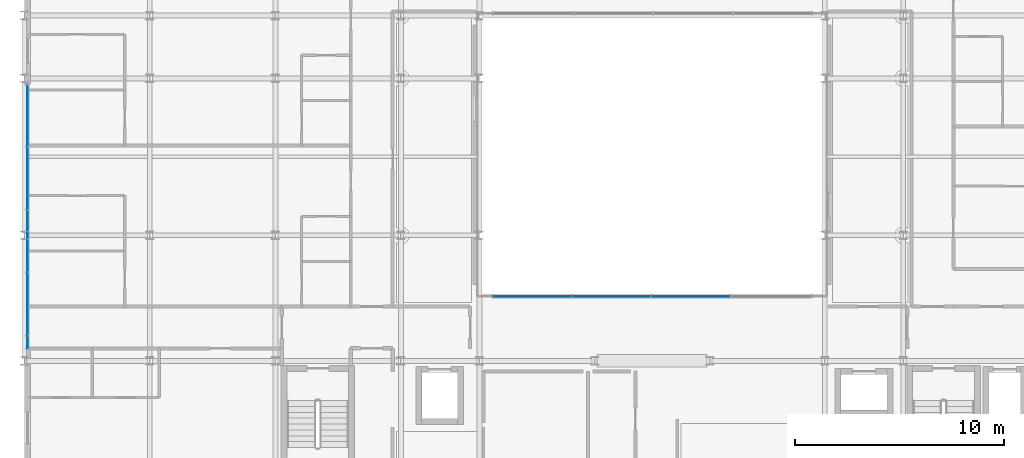
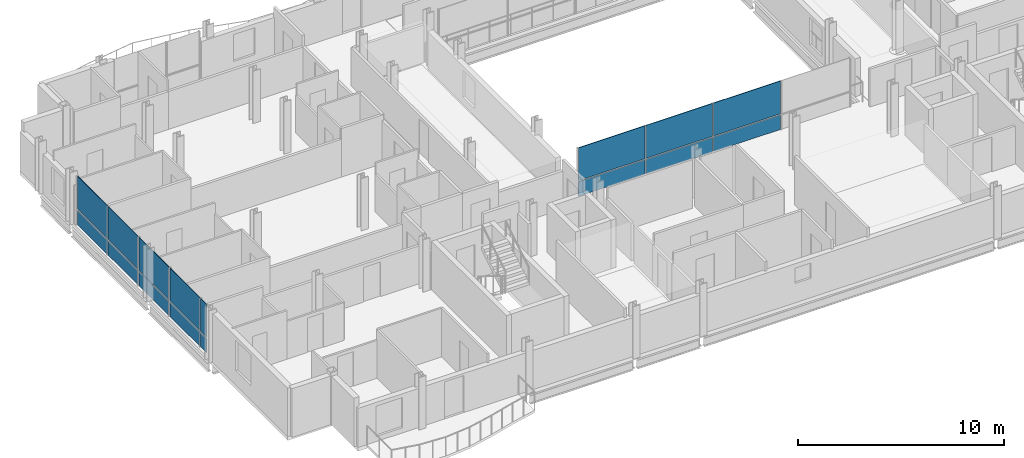
# One storey, part 28 of 41: 16 plates, 2 elements without a shape of their own.
"""IFC4 building model written with IfcOpenShell, lengths in metres."""

from ifc_helpers import new_model, si_unit, direction, frame, origin, origin_2d, place, context, subcontext, project, spatial, rectangle, extrude, material, layer, layer_set, type_object, element, aggregate, save


model = new_model("IFC4")

# Units and contexts
model_context = context("Model", 3, precision=1e-05, world=origin(), true_north=direction((0.0, 1.0)))
body_context = subcontext(model_context, "Body", "Model", "MODEL_VIEW")
ifc_project = project(units=[si_unit("LENGTHUNIT", "METRE"), si_unit("AREAUNIT", "SQUARE_METRE"), si_unit("VOLUMEUNIT", "CUBIC_METRE"), si_unit("PLANEANGLEUNIT", "RADIAN"), si_unit("MASSUNIT", "GRAM", prefix="KILO")], contexts=[model_context])

# Site, building, storey
site_placement = place(None, origin())
site = spatial("IfcSite", under=ifc_project, at=site_placement, CompositionType="ELEMENT")
building_placement = place(site_placement, origin())
building = spatial("IfcBuilding", under=site, at=building_placement, Name="Brevholm Reach", CompositionType="ELEMENT")
storey_placement = place(building_placement, frame((0.0, 0.0, 144.89990234375)))
storey = spatial("IfcBuildingStorey", under=building, at=storey_placement, Name="L43", CompositionType="ELEMENT", Elevation=144.89990234375)

# Curtain wall, plates
ifc_material_1 = material(Name="Dark Anodised Aluminium 6063-T6 and Solar-Control Glass", Category="aluminium")
ifc_layer_1 = layer(ifc_material_1, 0.14990234375)
ifc_layer_set_1 = layer_set([ifc_layer_1], Name="Dark Anodised Aluminium 6063-T6 and Solar-Control Glass")
curtain_wall_type_1 = type_object("IfcCurtainWallType", Name="CW-01", PredefinedType="NOTDEFINED", material=ifc_layer_set_1)
curtain_wall_1_placement = place(storey_placement, origin())
curtain_wall_1 = element("IfcCurtainWall", 1, at=curtain_wall_1_placement, inside=storey, type_object=curtain_wall_type_1, Name="L43 Curtain Wall CW-01", PredefinedType="NOTDEFINED")
ifc_material_2 = material(Name="Dark Solar-Control Double-Glazed IGU Glass", Category="glass")
ifc_layer_2 = layer(ifc_material_2, 0.028076171875)
ifc_layer_set_2 = layer_set([ifc_layer_2], Name="Dark Solar-Control Double-Glazed IGU Glass")
plate_type_1 = type_object("IfcPlateType", Name="CWP-GLZ-28", PredefinedType="CURTAIN_PANEL", material=ifc_layer_set_2)
plate_1_placement = place(storey_placement, frame((0.14990234375, 21.703857421875, 0.0), z_axis=(0.0, 0.0, 1.0), x_axis=(0.0, -1.0, 0.0)))
plate_1 = element("IfcPlate", 2, at=plate_1_placement, type_object=plate_type_1, Name="CP-01 Glazing Panel 1.1", PredefinedType="CURTAIN_PANEL", context=body_context, shape_type="SweptSolid", body=[
    extrude(rectangle(XDim=2.902587890625, YDim=0.028076171875, at=origin_2d()), origin(), (0.0, 0.0, 1.0), 0.867431640625),
])
plate_2_placement = place(storey_placement, frame((0.14990234375, 21.703857421875, 0.9326171875), z_axis=(0.0, 0.0, 1.0), x_axis=(0.0, -1.0, 0.0)))
plate_2 = element("IfcPlate", 3, at=plate_2_placement, type_object=plate_type_1, Name="CP-01 Glazing Panel 1.2", PredefinedType="CURTAIN_PANEL", context=body_context, shape_type="SweptSolid", body=[
    extrude(rectangle(XDim=2.902587890625, YDim=0.028076171875, at=origin_2d()), origin(), (0.0, 0.0, 1.0), 1.947509765625),
])
plate_3_placement = place(storey_placement, frame((0.14990234375, 18.719970703125, 0.0), z_axis=(0.0, 0.0, 1.0), x_axis=(0.0, -1.0, 0.0)))
plate_3 = element("IfcPlate", 4, at=plate_3_placement, type_object=plate_type_1, Name="CP-01 Glazing Panel 2.1", PredefinedType="CURTAIN_PANEL", context=body_context, shape_type="SweptSolid", body=[
    extrude(rectangle(XDim=2.93505859375, YDim=0.028076171875, at=origin_2d()), origin(), (0.0, 0.0, 1.0), 0.867431640625),
])
plate_4_placement = place(storey_placement, frame((0.14990234375, 18.719970703125, 0.9326171875), z_axis=(0.0, 0.0, 1.0), x_axis=(0.0, -1.0, 0.0)))
plate_4 = element("IfcPlate", 5, at=plate_4_placement, type_object=plate_type_1, Name="CP-01 Glazing Panel 2.2", PredefinedType="CURTAIN_PANEL", context=body_context, shape_type="SweptSolid", body=[
    extrude(rectangle(XDim=2.93505859375, YDim=0.028076171875, at=origin_2d()), origin(), (0.0, 0.0, 1.0), 1.947509765625),
])
plate_5_placement = place(storey_placement, frame((0.14990234375, 15.719970703125, 0.0), z_axis=(0.0, 0.0, 1.0), x_axis=(0.0, -1.0, 0.0)))
plate_5 = element("IfcPlate", 6, at=plate_5_placement, type_object=plate_type_1, Name="CP-01 Glazing Panel 3.1", PredefinedType="CURTAIN_PANEL", context=body_context, shape_type="SweptSolid", body=[
    extrude(rectangle(XDim=2.93505859375, YDim=0.028076171875, at=origin_2d()), origin(), (0.0, 0.0, 1.0), 0.867431640625),
])
plate_6_placement = place(storey_placement, frame((0.14990234375, 15.719970703125, 0.9326171875), z_axis=(0.0, 0.0, 1.0), x_axis=(0.0, -1.0, 0.0)))
plate_6 = element("IfcPlate", 7, at=plate_6_placement, type_object=plate_type_1, Name="CP-01 Glazing Panel 3.2", PredefinedType="CURTAIN_PANEL", context=body_context, shape_type="SweptSolid", body=[
    extrude(rectangle(XDim=2.93505859375, YDim=0.028076171875, at=origin_2d()), origin(), (0.0, 0.0, 1.0), 1.947509765625),
])
plate_7_placement = place(storey_placement, frame((0.14990234375, 12.719970703125, 0.0), z_axis=(0.0, 0.0, 1.0), x_axis=(0.0, -1.0, 0.0)))
plate_7 = element("IfcPlate", 8, at=plate_7_placement, type_object=plate_type_1, Name="CP-01 Glazing Panel 4.1", PredefinedType="CURTAIN_PANEL", context=body_context, shape_type="SweptSolid", body=[
    extrude(rectangle(XDim=2.93505859375, YDim=0.028076171875, at=origin_2d()), origin(), (0.0, 0.0, 1.0), 0.867431640625),
])
plate_8_placement = place(storey_placement, frame((0.14990234375, 12.719970703125, 0.9326171875), z_axis=(0.0, 0.0, 1.0), x_axis=(0.0, -1.0, 0.0)))
plate_8 = element("IfcPlate", 9, at=plate_8_placement, type_object=plate_type_1, Name="CP-01 Glazing Panel 4.2", PredefinedType="CURTAIN_PANEL", context=body_context, shape_type="SweptSolid", body=[
    extrude(rectangle(XDim=2.93505859375, YDim=0.028076171875, at=origin_2d()), origin(), (0.0, 0.0, 1.0), 1.947509765625),
])
plate_9_placement = place(storey_placement, frame((0.14990234375, 10.9013671875, 0.0), z_axis=(0.0, 0.0, 1.0), x_axis=(0.0, -1.0, 0.0)))
plate_9 = element("IfcPlate", 10, at=plate_9_placement, type_object=plate_type_1, Name="CP-01 Glazing Panel 5.1", PredefinedType="CURTAIN_PANEL", context=body_context, shape_type="SweptSolid", body=[
    extrude(rectangle(XDim=0.572509765625, YDim=0.028076171875, at=origin_2d()), origin(), (0.0, 0.0, 1.0), 0.867431640625),
])
plate_10_placement = place(storey_placement, frame((0.14990234375, 10.9013671875, 0.9326171875), z_axis=(0.0, 0.0, 1.0), x_axis=(0.0, -1.0, 0.0)))
plate_10 = element("IfcPlate", 11, at=plate_10_placement, type_object=plate_type_1, Name="CP-01 Glazing Panel 5.2", PredefinedType="CURTAIN_PANEL", context=body_context, shape_type="SweptSolid", body=[
    extrude(rectangle(XDim=0.572509765625, YDim=0.028076171875, at=origin_2d()), origin(), (0.0, 0.0, 1.0), 1.947509765625),
])
aggregate(curtain_wall_1, [plate_1, plate_2, plate_3, plate_4, plate_5, plate_6, plate_7, plate_8, plate_9, plate_10])

ifc_material_3 = material(Name="Dark Anodised Aluminium 6063-T6 and Solar-Control Glass", Category="aluminium")
ifc_layer_3 = layer(ifc_material_3, 0.139892578125)
ifc_layer_set_3 = layer_set([ifc_layer_3], Name="Dark Anodised Aluminium 6063-T6 and Solar-Control Glass")
curtain_wall_type_2 = type_object("IfcCurtainWallType", Name="CW-02", PredefinedType="NOTDEFINED", material=ifc_layer_set_3)
curtain_wall_2_placement = place(storey_placement, origin())
curtain_wall_2 = element("IfcCurtainWall", 12, at=curtain_wall_2_placement, inside=storey, type_object=curtain_wall_type_2, Name="L43 Curtain Wall CW-02", PredefinedType="NOTDEFINED")
ifc_material_4 = material(Name="Low-Iron Laminated Acoustic Glass", Category="glass")
ifc_layer_4 = layer(ifc_material_4, 0.035888671875)
ifc_layer_set_4 = layer_set([ifc_layer_4], Name="Low-Iron Laminated Acoustic Glass")
plate_type_2 = type_object("IfcPlateType", Name="CWP-GLZ-36", PredefinedType="CURTAIN_PANEL", material=ifc_layer_set_4)
plate_11_placement = place(storey_placement, frame((24.264892578125, 13.080078125, 0.0), z_axis=(0.0, 0.0, 1.0), x_axis=(1.0, 0.0, 0.0)))
plate_11 = element("IfcPlate", 13, at=plate_11_placement, type_object=plate_type_2, Name="CP-02 Glazing Panel 1.1", PredefinedType="CURTAIN_PANEL", context=body_context, shape_type="SweptSolid", body=[
    extrude(rectangle(XDim=3.7099609375, YDim=0.035888671875, at=origin_2d()), origin(), (0.0, 0.0, 1.0), 0.8701171875),
])
plate_12_placement = place(storey_placement, frame((24.264892578125, 13.080078125, 0.93017578125), z_axis=(0.0, 0.0, 1.0), x_axis=(1.0, 0.0, 0.0)))
plate_12 = element("IfcPlate", 14, at=plate_12_placement, type_object=plate_type_2, Name="CP-02 Glazing Panel 1.2", PredefinedType="CURTAIN_PANEL", context=body_context, shape_type="SweptSolid", body=[
    extrude(rectangle(XDim=3.7099609375, YDim=0.035888671875, at=origin_2d()), origin(), (0.0, 0.0, 1.0), 1.949951171875),
])
plate_13_placement = place(storey_placement, frame((28.050048828125, 13.080078125, 0.0), z_axis=(0.0, 0.0, 1.0), x_axis=(1.0, 0.0, 0.0)))
plate_13 = element("IfcPlate", 15, at=plate_13_placement, type_object=plate_type_2, Name="CP-02 Glazing Panel 2.1", PredefinedType="CURTAIN_PANEL", context=body_context, shape_type="SweptSolid", body=[
    extrude(rectangle(XDim=3.739990234375, YDim=0.035888671875, at=origin_2d()), origin(), (0.0, 0.0, 1.0), 0.8701171875),
])
plate_14_placement = place(storey_placement, frame((28.050048828125, 13.080078125, 0.93017578125), z_axis=(0.0, 0.0, 1.0), x_axis=(1.0, 0.0, 0.0)))
plate_14 = element("IfcPlate", 16, at=plate_14_placement, type_object=plate_type_2, Name="CP-02 Glazing Panel 2.2", PredefinedType="CURTAIN_PANEL", context=body_context, shape_type="SweptSolid", body=[
    extrude(rectangle(XDim=3.739990234375, YDim=0.035888671875, at=origin_2d()), origin(), (0.0, 0.0, 1.0), 1.949951171875),
])
plate_15_placement = place(storey_placement, frame((31.85009765625, 13.080078125, 0.0), z_axis=(0.0, 0.0, 1.0), x_axis=(1.0, 0.0, 0.0)))
plate_15 = element("IfcPlate", 17, at=plate_15_placement, type_object=plate_type_2, Name="CP-02 Glazing Panel 3.1", PredefinedType="CURTAIN_PANEL", context=body_context, shape_type="SweptSolid", body=[
    extrude(rectangle(XDim=3.739990234375, YDim=0.035888671875, at=origin_2d()), origin(), (0.0, 0.0, 1.0), 0.8701171875),
])
plate_16_placement = place(storey_placement, frame((31.85009765625, 13.080078125, 0.93017578125), z_axis=(0.0, 0.0, 1.0), x_axis=(1.0, 0.0, 0.0)))
plate_16 = element("IfcPlate", 18, at=plate_16_placement, type_object=plate_type_2, Name="CP-02 Glazing Panel 3.2", PredefinedType="CURTAIN_PANEL", context=body_context, shape_type="SweptSolid", body=[
    extrude(rectangle(XDim=3.739990234375, YDim=0.035888671875, at=origin_2d()), origin(), (0.0, 0.0, 1.0), 1.949951171875),
])
aggregate(curtain_wall_2, [plate_11, plate_12, plate_13, plate_14, plate_15, plate_16])

save(model, "model.ifc")
